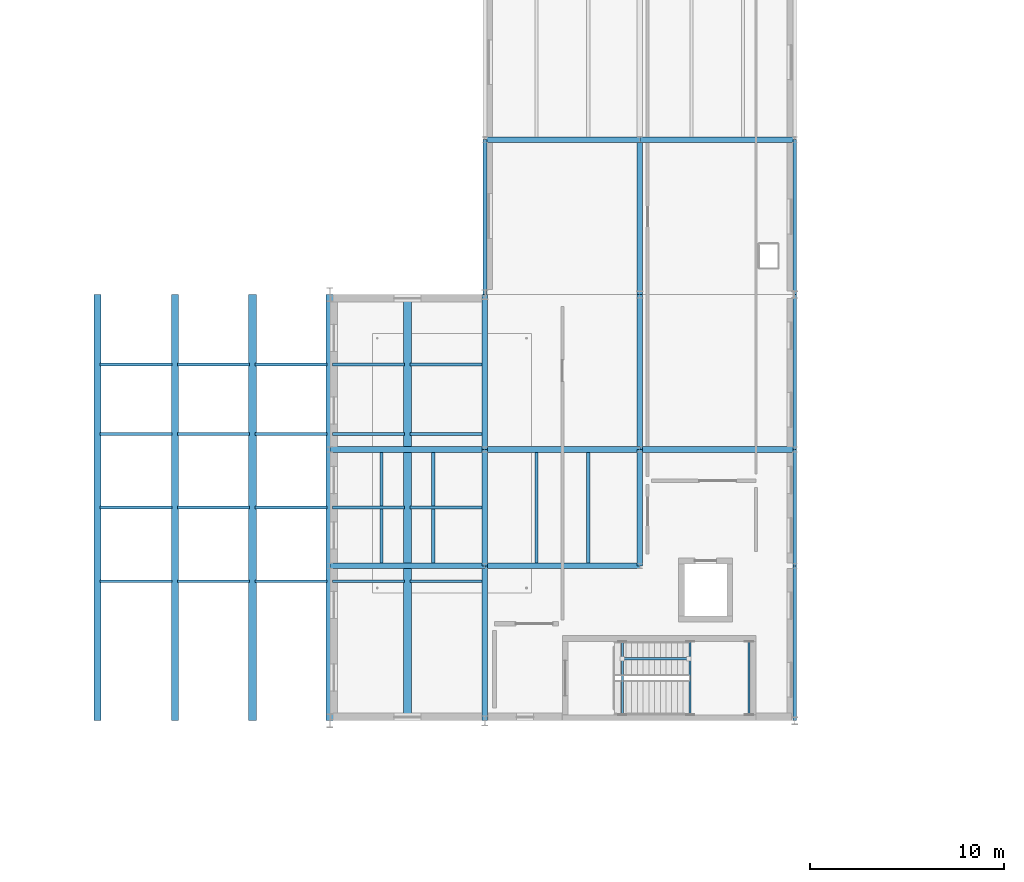
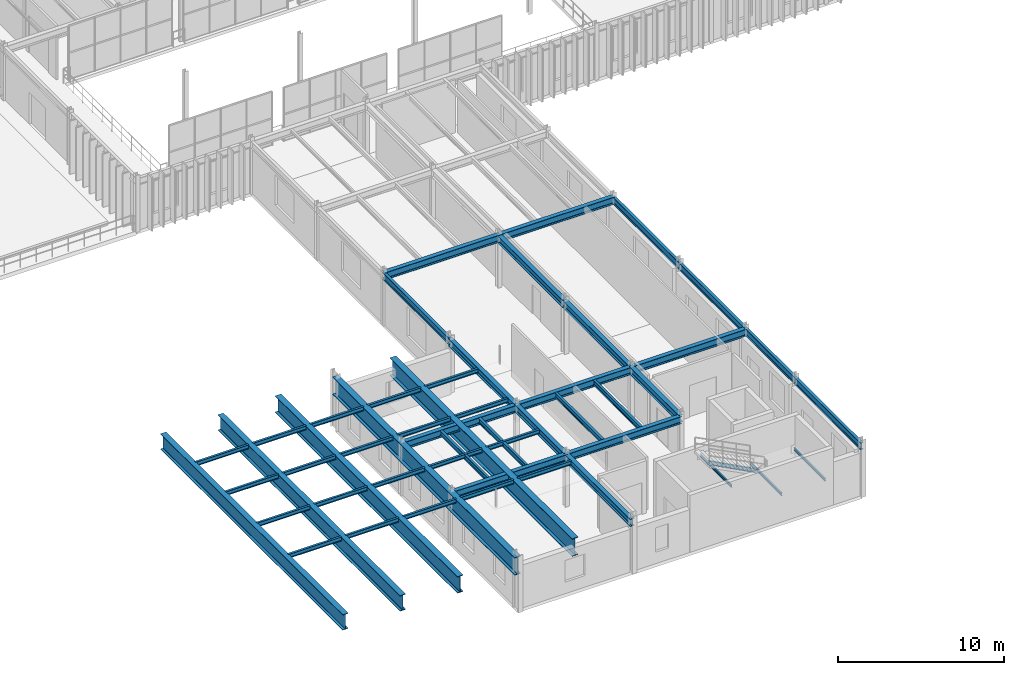
# One storey, part 19 of 122: 50 beams, 1 member.
"""IFC4 building model written with IfcOpenShell, lengths in metres."""

from ifc_helpers import new_model, si_unit, direction, frame, origin, origin_2d, place, context, subcontext, project, spatial, i_section, extrude, material, material_profile, profile_set, type_object, element, save


model = new_model("IFC4")

# Units and contexts
model_context = context("Model", 3, precision=1e-05, world=origin(), true_north=direction((0.0, 1.0)))
body_context = subcontext(model_context, "Body", "Model", "MODEL_VIEW")
ifc_project = project(units=[si_unit("LENGTHUNIT", "METRE"), si_unit("AREAUNIT", "SQUARE_METRE"), si_unit("VOLUMEUNIT", "CUBIC_METRE"), si_unit("PLANEANGLEUNIT", "RADIAN"), si_unit("MASSUNIT", "GRAM", prefix="KILO")], contexts=[model_context])

# Site, building, storey
site_placement = place(None, origin())
site = spatial("IfcSite", under=ifc_project, at=site_placement, CompositionType="ELEMENT")
building_placement = place(site_placement, origin())
building = spatial("IfcBuilding", under=site, at=building_placement, Name="Sundkrona Museum", CompositionType="ELEMENT")
storey_placement = place(building_placement, frame((0.0, 0.0, 5.39990234375)))
storey = spatial("IfcBuildingStorey", under=building, at=storey_placement, Name="L01", CompositionType="ELEMENT", Elevation=5.39990234375)

# Beams
ifc_material_1 = material(Name="Steel S355J2", Category="steel")
ifc_material_profile_1 = material_profile(ifc_material_1, i_section(OverallWidth=0.300048828125, OverallDepth=0.5400390625, WebThickness=0.012451171875, FlangeThickness=0.02392578125, FilletRadius=0.027099609375, at=origin_2d()), Name="HEA 550")
ifc_profile_set_1 = profile_set([ifc_material_profile_1], Name="Steel S355J2")
beam_type_1 = type_object("IfcBeamType", Name="B-HEA550", PredefinedType="BEAM", material=ifc_profile_set_1)
for number, where, z_axis, x_axis, name in (
    (1, (16.0, 40.0, 3.60498046875), (1.0, 0.0, 0.0), (0.0, 1.0, 0.0), "L01 Girder X-0847"),
    (2, (24.0, 40.0, 3.60498046875), (1.0, 0.0, 0.0), (0.0, 1.0, 0.0), "L01 Girder X-0848"),
    (3, (16.0, 46.0, 3.60498046875), (1.0, 0.0, 0.0), (0.0, 1.0, 0.0), "L01 Girder X-0858"),
    (4, (24.0, 46.0, 3.60498046875), (1.0, 0.0, 0.0), (0.0, 1.0, 0.0), "L01 Girder X-0859"),
    (5, (32.0, 46.0, 3.60498046875), (1.0, 0.0, 0.0), (0.0, 1.0, 0.0), "L01 Girder X-0860"),
    (6, (24.0, 62.0, 3.630126953125), (1.0, 0.0, 0.0), (0.0, 1.0, 0.0), "L01 Girder X-0871"),
    (7, (32.0, 62.0, 3.630126953125), (1.0, 0.0, 0.0), (0.0, 1.0, 0.0), "L01 Girder X-0872"),
    (8, (24.0, 32.0, 3.60498046875), (0.0, 1.0, 0.0), (-1.0, 0.0, 0.0), "L01 Girder Y-0968"),
):
    element("IfcBeam", number, at=place(storey_placement, frame(where, z_axis=z_axis, x_axis=x_axis)), inside=storey, type_object=beam_type_1, Name=name, PredefinedType="BEAM", context=body_context, shape_type="SweptSolid", body=[
        extrude(i_section(OverallWidth=0.300048828125, OverallDepth=0.5400390625, WebThickness=0.012451171875, FlangeThickness=0.02392578125, FilletRadius=0.027099609375, at=origin_2d()), origin(), (0.0, 0.0, 1.0), 8.0),
    ])
beam_1_placement = place(storey_placement, frame((24.0, 40.0, 3.60498046875), z_axis=(0.0, 1.0, 0.0), x_axis=(-1.0, 0.0, 0.0)))
element("IfcBeam", 9, at=beam_1_placement, inside=storey, type_object=beam_type_1, Name="L01 Girder Y-0969", PredefinedType="BEAM", context=body_context, shape_type="SweptSolid", body=[
    extrude(i_section(OverallWidth=0.300048828125, OverallDepth=0.5400390625, WebThickness=0.012451171875, FlangeThickness=0.02392578125, FilletRadius=0.027099609375, at=origin_2d()), origin(), (0.0, 0.0, 1.0), 6.0),
])
beam_2_placement = place(storey_placement, frame((24.0, 46.0, 3.60498046875), z_axis=(0.0, 1.0, 0.0), x_axis=(-1.0, 0.0, 0.0)))
element("IfcBeam", 10, at=beam_2_placement, inside=storey, type_object=beam_type_1, Name="L01 Girder Y-0970", PredefinedType="BEAM", context=body_context, shape_type="SweptSolid", body=[
    extrude(i_section(OverallWidth=0.300048828125, OverallDepth=0.5400390625, WebThickness=0.012451171875, FlangeThickness=0.02392578125, FilletRadius=0.027099609375, at=origin_2d()), origin(), (0.0, 0.0, 1.0), 8.0),
])
beam_3_placement = place(storey_placement, frame((32.0, 40.0, 3.60498046875), z_axis=(0.0, 1.0, 0.0), x_axis=(-1.0, 0.0, 0.0)))
element("IfcBeam", 11, at=beam_3_placement, inside=storey, type_object=beam_type_1, Name="L01 Girder Y-0977", PredefinedType="BEAM", context=body_context, shape_type="SweptSolid", body=[
    extrude(i_section(OverallWidth=0.300048828125, OverallDepth=0.5400390625, WebThickness=0.012451171875, FlangeThickness=0.02392578125, FilletRadius=0.027099609375, at=origin_2d()), origin(), (0.0, 0.0, 1.0), 6.0),
])
for number, where, z_axis, x_axis, name in (
    (12, (32.0, 46.0, 3.60498046875), (0.0, 1.0, 0.0), (-1.0, 0.0, 0.0), "L01 Girder Y-0978"),
    (13, (32.0, 54.0, 3.60498046875), (0.0, 1.0, 0.0), (-1.0, 0.0, 0.0), "L01 Girder Y-0979"),
):
    element("IfcBeam", number, at=place(storey_placement, frame(where, z_axis=z_axis, x_axis=x_axis)), inside=storey, type_object=beam_type_1, Name=name, PredefinedType="BEAM", context=body_context, shape_type="SweptSolid", body=[
        extrude(i_section(OverallWidth=0.300048828125, OverallDepth=0.5400390625, WebThickness=0.012451171875, FlangeThickness=0.02392578125, FilletRadius=0.027099609375, at=origin_2d()), origin(), (0.0, 0.0, 1.0), 8.0),
    ])

# Member
ifc_material_profile_2 = material_profile(ifc_material_1, i_section(OverallWidth=0.135009765625, OverallDepth=0.27001953125, WebThickness=0.006591796875, FlangeThickness=0.01025390625, FilletRadius=0.014892578125, at=origin_2d()), Name="IPE 270")
ifc_profile_set_2 = profile_set([ifc_material_profile_2], Name="Steel S355J2")
member_type = type_object("IfcMemberType", Name="BR-IPE270", PredefinedType="BRACE", material=ifc_profile_set_2)
member_placement = place(storey_placement, frame((34.534912109375, 35.199951171875, 1.780029296875), z_axis=(-0.882182779908, 0.0, 0.470907148846), x_axis=(0.0, -1.0, 0.0)))
element("IfcMember", 14, at=member_placement, inside=storey, type_object=member_type, Name="SRK-1 L01 ST-4 Flight 2 Inclined Carriage Raker", PredefinedType="BRACE", context=body_context, shape_type="SweptSolid", body=[
    extrude(i_section(OverallWidth=0.135009765625, OverallDepth=0.27001953125, WebThickness=0.006591796875, FlangeThickness=0.01025390625, FilletRadius=0.014892578125, at=origin_2d()), origin(), (0.0, 0.0, 1.0), 3.8935546875),
])

# Beams
ifc_material_profile_3 = material_profile(ifc_material_1, i_section(OverallWidth=0.10009765625, OverallDepth=0.199951171875, WebThickness=0.005615234375, FlangeThickness=0.008544921875, FilletRadius=0.011962890625, at=origin_2d()), Name="IPE 200")
ifc_profile_set_3 = profile_set([ifc_material_profile_3], Name="Steel S355J2")
beam_type_2 = type_object("IfcBeamType", Name="J-IPE200", PredefinedType="JOIST", material=ifc_profile_set_3)
for number, where, z_axis, x_axis, name in (
    (15, (34.598388671875, 32.31005859375, 1.780029296875), (0.0, 1.0, 0.0), (-1.0, 0.0, 0.0), "L01 ST-4 Mid-Landing Trimmer Beam 1A"),
    (16, (37.63671875, 32.31005859375, 1.780029296875), (0.0, 1.0, 0.0), (-1.0, 0.0, 0.0), "L01 ST-4 Mid-Landing Trimmer Beam 1B"),
    (17, (31.10009765625, 32.31005859375, 3.613525390625), (0.0, 1.0, 0.0), (-1.0, 0.0, 0.0), "L01 ST-4 Flight 2 Arrival Header Beam"),
):
    element("IfcBeam", number, at=place(storey_placement, frame(where, z_axis=z_axis, x_axis=x_axis)), inside=storey, type_object=beam_type_2, Name=name, PredefinedType="JOIST", context=body_context, shape_type="SweptSolid", body=[
        extrude(i_section(OverallWidth=0.10009765625, OverallDepth=0.199951171875, WebThickness=0.005615234375, FlangeThickness=0.008544921875, FilletRadius=0.011962890625, at=origin_2d()), origin(), (0.0, 0.0, 1.0), 3.780029296875),
    ])
ifc_material_profile_4 = material_profile(ifc_material_1, i_section(OverallWidth=0.14990234375, OverallDepth=0.300048828125, WebThickness=0.007080078125, FlangeThickness=0.0107421875, FilletRadius=0.014892578125, at=origin_2d()), Name="IPE 300")
ifc_profile_set_4 = profile_set([ifc_material_profile_4], Name="Steel S355J2")
beam_type_3 = type_object("IfcBeamType", Name="J-IPE300", PredefinedType="JOIST", material=ifc_profile_set_4)
for number, where, z_axis, x_axis, name in (
    (18, (4.139892578125, 39.199951171875, 3.72509765625), (1.0, 0.0, 0.0), (0.0, 1.0, 0.0), "L01 Cantilever Floor Joist"),
    (19, (8.139892578125, 39.199951171875, 3.72509765625), (1.0, 0.0, 0.0), (0.0, 1.0, 0.0), "L01 Cantilever Floor Joist"),
    (20, (12.139892578125, 39.199951171875, 3.72509765625), (1.0, 0.0, 0.0), (0.0, 1.0, 0.0), "L01 Cantilever Floor Joist"),
    (21, (16.139892578125, 39.199951171875, 3.72509765625), (1.0, 0.0, 0.0), (0.0, 1.0, 0.0), "L01 Cantilever Floor Joist"),
    (22, (20.139892578125, 39.199951171875, 3.72509765625), (1.0, 0.0, 0.0), (0.0, 1.0, 0.0), "L01 Cantilever Floor Joist"),
    (23, (4.139892578125, 43.0, 3.72509765625), (1.0, 0.0, 0.0), (0.0, 1.0, 0.0), "L01 Cantilever Floor Joist"),
    (24, (8.139892578125, 43.0, 3.72509765625), (1.0, 0.0, 0.0), (0.0, 1.0, 0.0), "L01 Cantilever Floor Joist"),
    (25, (12.139892578125, 43.0, 3.72509765625), (1.0, 0.0, 0.0), (0.0, 1.0, 0.0), "L01 Cantilever Floor Joist"),
    (26, (16.139892578125, 43.0, 3.72509765625), (1.0, 0.0, 0.0), (0.0, 1.0, 0.0), "L01 Cantilever Floor Joist"),
    (27, (20.139892578125, 43.0, 3.72509765625), (1.0, 0.0, 0.0), (0.0, 1.0, 0.0), "L01 Cantilever Floor Joist"),
    (28, (4.139892578125, 46.800048828125, 3.72509765625), (1.0, 0.0, 0.0), (0.0, 1.0, 0.0), "L01 Cantilever Floor Joist"),
    (29, (8.139892578125, 46.800048828125, 3.72509765625), (1.0, 0.0, 0.0), (0.0, 1.0, 0.0), "L01 Cantilever Floor Joist"),
    (30, (12.139892578125, 46.800048828125, 3.72509765625), (1.0, 0.0, 0.0), (0.0, 1.0, 0.0), "L01 Cantilever Floor Joist"),
    (31, (16.139892578125, 46.800048828125, 3.72509765625), (1.0, 0.0, 0.0), (0.0, 1.0, 0.0), "L01 Cantilever Floor Joist"),
    (32, (20.139892578125, 46.800048828125, 3.72509765625), (1.0, 0.0, 0.0), (0.0, 1.0, 0.0), "L01 Cantilever Floor Joist"),
    (33, (4.139892578125, 50.39990234375, 3.72509765625), (1.0, 0.0, 0.0), (0.0, 1.0, 0.0), "L01 Cantilever Floor Joist"),
    (34, (8.139892578125, 50.39990234375, 3.72509765625), (1.0, 0.0, 0.0), (0.0, 1.0, 0.0), "L01 Cantilever Floor Joist"),
    (35, (12.139892578125, 50.39990234375, 3.72509765625), (1.0, 0.0, 0.0), (0.0, 1.0, 0.0), "L01 Cantilever Floor Joist"),
    (36, (16.139892578125, 50.39990234375, 3.72509765625), (1.0, 0.0, 0.0), (0.0, 1.0, 0.0), "L01 Cantilever Floor Joist"),
    (37, (20.139892578125, 50.39990234375, 3.72509765625), (1.0, 0.0, 0.0), (0.0, 1.0, 0.0), "L01 Cantilever Floor Joist"),
):
    element("IfcBeam", number, at=place(storey_placement, frame(where, z_axis=z_axis, x_axis=x_axis)), inside=storey, type_object=beam_type_3, Name=name, PredefinedType="JOIST", context=body_context, shape_type="SweptSolid", body=[
        extrude(i_section(OverallWidth=0.14990234375, OverallDepth=0.300048828125, WebThickness=0.007080078125, FlangeThickness=0.0107421875, FilletRadius=0.014892578125, at=origin_2d()), origin(), (0.0, 0.0, 1.0), 3.72021484375),
    ])
ifc_material_profile_5 = material_profile(ifc_material_1, i_section(OverallWidth=0.169921875, OverallDepth=0.360107421875, WebThickness=0.008056640625, FlangeThickness=0.0126953125, FilletRadius=0.01806640625, at=origin_2d()), Name="IPE 360")
ifc_profile_set_5 = profile_set([ifc_material_profile_5], Name="Steel S355J2")
beam_type_4 = type_object("IfcBeamType", Name="J-IPE360", PredefinedType="JOIST", material=ifc_profile_set_5)
for number, where, z_axis, x_axis, name in (
    (38, (18.666748046875, 40.14404296875, 3.695068359375), (0.0, 1.0, 0.0), (-1.0, 0.0, 0.0), "L01 Composite Joist 0573"),
    (39, (21.333251953125, 40.14404296875, 3.695068359375), (0.0, 1.0, 0.0), (-1.0, 0.0, 0.0), "L01 Composite Joist 0574"),
    (40, (26.666748046875, 40.14404296875, 3.695068359375), (0.0, 1.0, 0.0), (-1.0, 0.0, 0.0), "L01 Composite Joist 0581"),
    (41, (29.333251953125, 40.14404296875, 3.695068359375), (0.0, 1.0, 0.0), (-1.0, 0.0, 0.0), "L01 Composite Joist 0582"),
):
    element("IfcBeam", number, at=place(storey_placement, frame(where, z_axis=z_axis, x_axis=x_axis)), inside=storey, type_object=beam_type_4, Name=name, PredefinedType="JOIST", context=body_context, shape_type="SweptSolid", body=[
        extrude(i_section(OverallWidth=0.169921875, OverallDepth=0.360107421875, WebThickness=0.008056640625, FlangeThickness=0.0126953125, FilletRadius=0.01806640625, at=origin_2d()), origin(), (0.0, 0.0, 1.0), 5.7119140625),
    ])
ifc_material_profile_6 = material_profile(ifc_material_1, i_section(OverallWidth=0.199951171875, OverallDepth=0.5, WebThickness=0.01025390625, FlangeThickness=0.01611328125, FilletRadius=0.02099609375, at=origin_2d()), Name="IPE 500")
ifc_profile_set_6 = profile_set([ifc_material_profile_6], Name="Steel S355J2")
beam_type_5 = type_object("IfcBeamType", Name="SP-IPE500", PredefinedType="SPANDREL", material=ifc_profile_set_6)
for number, where, z_axis, x_axis, name in (
    (42, (24.0, 54.0, 3.625), (0.0, 1.0, 0.0), (-1.0, 0.0, 0.0), "L01 Girder Y-0971"),
    (43, (40.0, 32.0, 3.625), (0.0, 1.0, 0.0), (-1.0, 0.0, 0.0), "L01 Girder Y-0985"),
):
    element("IfcBeam", number, at=place(storey_placement, frame(where, z_axis=z_axis, x_axis=x_axis)), inside=storey, type_object=beam_type_5, Name=name, PredefinedType="SPANDREL", context=body_context, shape_type="SweptSolid", body=[
        extrude(i_section(OverallWidth=0.199951171875, OverallDepth=0.5, WebThickness=0.01025390625, FlangeThickness=0.01611328125, FilletRadius=0.02099609375, at=origin_2d()), origin(), (0.0, 0.0, 1.0), 8.0),
    ])
beam_4_placement = place(storey_placement, frame((40.0, 40.0, 3.625), z_axis=(0.0, 1.0, 0.0), x_axis=(-1.0, 0.0, 0.0)))
element("IfcBeam", 44, at=beam_4_placement, inside=storey, type_object=beam_type_5, Name="L01 Girder Y-0986", PredefinedType="SPANDREL", context=body_context, shape_type="SweptSolid", body=[
    extrude(i_section(OverallWidth=0.199951171875, OverallDepth=0.5, WebThickness=0.01025390625, FlangeThickness=0.01611328125, FilletRadius=0.02099609375, at=origin_2d()), origin(), (0.0, 0.0, 1.0), 6.0),
])
for number, where, z_axis, x_axis, name in (
    (45, (40.0, 46.0, 3.625), (0.0, 1.0, 0.0), (-1.0, 0.0, 0.0), "L01 Girder Y-0987"),
    (46, (40.0, 54.0, 3.625), (0.0, 1.0, 0.0), (-1.0, 0.0, 0.0), "L01 Girder Y-0988"),
):
    element("IfcBeam", number, at=place(storey_placement, frame(where, z_axis=z_axis, x_axis=x_axis)), inside=storey, type_object=beam_type_5, Name=name, PredefinedType="SPANDREL", context=body_context, shape_type="SweptSolid", body=[
        extrude(i_section(OverallWidth=0.199951171875, OverallDepth=0.5, WebThickness=0.01025390625, FlangeThickness=0.01611328125, FilletRadius=0.02099609375, at=origin_2d()), origin(), (0.0, 0.0, 1.0), 8.0),
    ])
ifc_material_2 = material(Name="Steel S460M", Category="steel")
ifc_material_profile_7 = material_profile(ifc_material_2, i_section(OverallWidth=0.3798828125, OverallDepth=1.14990234375, WebThickness=0.01806640625, FlangeThickness=0.033935546875, FilletRadius=0.02392578125, at=origin_2d()), Name="PG 1150x380")
ifc_profile_set_7 = profile_set([ifc_material_profile_7], Name="Steel S460M")
beam_type_6 = type_object("IfcBeamType", Name="TG-HEB700", PredefinedType="USERDEFINED", material=ifc_profile_set_7)
for number, where, z_axis, x_axis, name in (
    (47, (4.0, 32.0, 3.300048828125), (0.0, 1.0, 0.0), (-1.0, 0.0, 0.0), "TG-2 L01 Cantilever Cross Transfer Girder X=4"),
    (48, (8.0, 32.0, 3.300048828125), (0.0, 1.0, 0.0), (-1.0, 0.0, 0.0), "TG-2 L01 Cantilever Cross Transfer Girder X=8"),
):
    element("IfcBeam", number, at=place(storey_placement, frame(where, z_axis=z_axis, x_axis=x_axis)), inside=storey, type_object=beam_type_6, Name=name, ObjectType="TRANSFER GIRDER", PredefinedType="USERDEFINED", context=body_context, shape_type="SweptSolid", body=[
        extrude(i_section(OverallWidth=0.3798828125, OverallDepth=1.14990234375, WebThickness=0.01806640625, FlangeThickness=0.033935546875, FilletRadius=0.02392578125, at=origin_2d()), origin(), (0.0, 0.0, 1.0), 22.0),
    ])
ifc_material_profile_8 = material_profile(ifc_material_2, i_section(OverallWidth=0.39990234375, OverallDepth=1.219970703125, WebThickness=0.01904296875, FlangeThickness=0.035888671875, FilletRadius=0.02392578125, at=origin_2d()), Name="PG 1220x400")
ifc_profile_set_8 = profile_set([ifc_material_profile_8], Name="Steel S460M")
beam_type_7 = type_object("IfcBeamType", Name="TG-HEB800", PredefinedType="USERDEFINED", material=ifc_profile_set_8)
beam_5_placement = place(storey_placement, frame((12.0, 32.0, 3.26513671875), z_axis=(0.0, 1.0, 0.0), x_axis=(-1.0, 0.0, 0.0)))
element("IfcBeam", 49, at=beam_5_placement, inside=storey, type_object=beam_type_7, Name="TG-2 L01 Cantilever Cross Transfer Girder X=12", ObjectType="TRANSFER GIRDER", PredefinedType="USERDEFINED", context=body_context, shape_type="SweptSolid", body=[
    extrude(i_section(OverallWidth=0.39990234375, OverallDepth=1.219970703125, WebThickness=0.01904296875, FlangeThickness=0.035888671875, FilletRadius=0.02392578125, at=origin_2d()), origin(), (0.0, 0.0, 1.0), 22.0),
])
ifc_material_profile_9 = material_profile(ifc_material_2, i_section(OverallWidth=0.419921875, OverallDepth=1.300048828125, WebThickness=0.02001953125, FlangeThickness=0.0380859375, FilletRadius=0.02392578125, at=origin_2d()), Name="PG 1300x420")
ifc_profile_set_9 = profile_set([ifc_material_profile_9], Name="Steel S460M")
beam_type_8 = type_object("IfcBeamType", Name="TG-HEM900", PredefinedType="USERDEFINED", material=ifc_profile_set_9)
for number, where, z_axis, x_axis, name in (
    (50, (16.0, 32.0, 3.22509765625), (0.0, 1.0, 0.0), (-1.0, 0.0, 0.0), "TG-1 L01 Cantilever Cross Transfer Girder X=16"),
    (51, (20.0, 32.0, 3.22509765625), (0.0, 1.0, 0.0), (-1.0, 0.0, 0.0), "TG-2 L01 Cantilever Cross Transfer Girder X=20"),
):
    element("IfcBeam", number, at=place(storey_placement, frame(where, z_axis=z_axis, x_axis=x_axis)), inside=storey, type_object=beam_type_8, Name=name, ObjectType="TRANSFER GIRDER", PredefinedType="USERDEFINED", context=body_context, shape_type="SweptSolid", body=[
        extrude(i_section(OverallWidth=0.419921875, OverallDepth=1.300048828125, WebThickness=0.02001953125, FlangeThickness=0.0380859375, FilletRadius=0.02392578125, at=origin_2d()), origin(), (0.0, 0.0, 1.0), 22.0),
    ])

save(model, "model.ifc")
